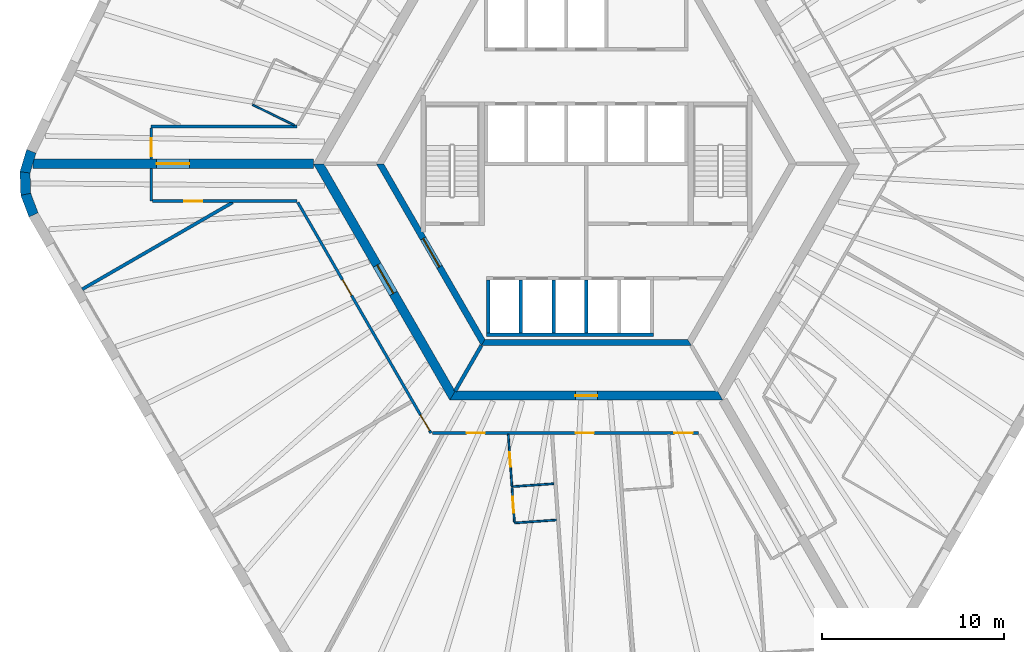
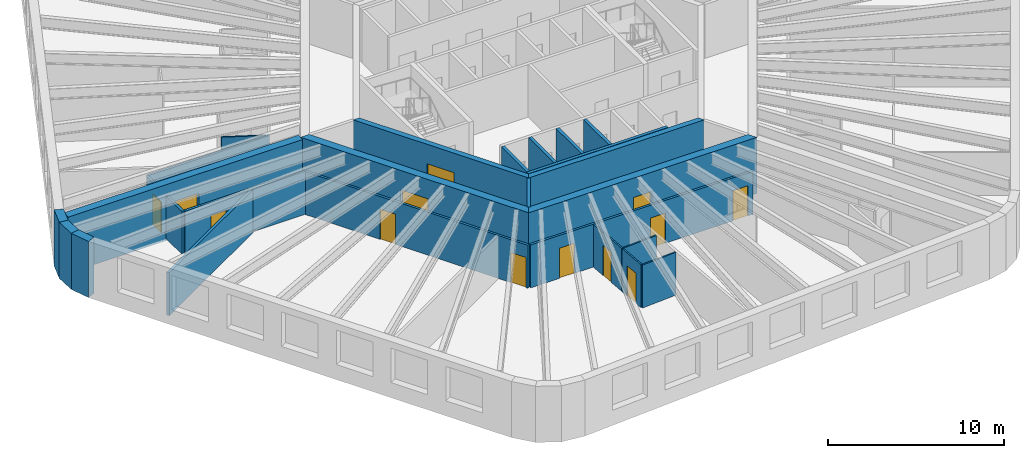
# One storey, part 3 of 9: 26 walls, 13 doors, 13 openings.
"""IFC4 building model written with IfcOpenShell, lengths in metres."""

import ifcopenshell
import ifcopenshell.guid

model = None  # the IFC model being written
_history = None  # IfcOwnerHistory: only IFC2X3 demands one
_inside = {}  # id of a spatial element -> (the spatial element, [elements in it])
_under = {}  # id of a project, library or spatial element -> (it, [spatial elements below it])
_declared = {}  # id of a project -> (the project, [libraries it declares])
_typed = {}  # id of a type object -> (the type object, [elements of that type])
_made_of = {}  # id of a material, layer set ... -> (it, [elements and type objects made of it])


def new_model(schema):
    """Start an empty IFC model of exactly this schema.

    Asked for "IFC4X3", IfcOpenShell would pick the latest addendum, in which some entities
    have other attributes; the version numbers below select the first issue.
    IFC2X3 requires an IfcOwnerHistory on every rooted entity: one is made here for all.
    """
    global model, _history
    if schema == "IFC4X3":
        model = ifcopenshell.file(schema_version=(4, 3, 0, 0))
    else:
        model = ifcopenshell.file(schema=schema)
    _inside.clear()
    _under.clear()
    _declared.clear()
    _typed.clear()
    _made_of.clear()
    _history = None
    if model.schema == "IFC2X3":
        org = make("IfcOrganization", Name="unknown")
        user = make(
            "IfcPersonAndOrganization",
            ThePerson=make("IfcPerson", FamilyName="unknown"),
            TheOrganization=org,
        )
        app = make(
            "IfcApplication",
            ApplicationDeveloper=org,
            Version="unknown",
            ApplicationFullName="unknown",
            ApplicationIdentifier="unknown",
        )
        _history = make(
            "IfcOwnerHistory",
            OwningUser=user,
            OwningApplication=app,
            ChangeAction="ADDED",
            CreationDate=0,
        )
    return model


def make(cls, **values):
    """One entity of the class cls with the attributes given. An attribute that is None is left unset."""
    return model.create_entity(
        cls, **{name: value for name, value in values.items() if value is not None}
    )


def rooted(cls, **values):
    """An entity with a GlobalId (a new one), such as an element, a storey or a relation."""
    return make(cls, GlobalId=ifcopenshell.guid.new(), OwnerHistory=_history, **values)


def si_unit(unit_type, name, prefix=None):
    """IfcSIUnit, for example si_unit("LENGTHUNIT", "METRE", prefix="MILLI")."""
    return make("IfcSIUnit", UnitType=unit_type, Prefix=prefix, Name=name)


def assignment(units):
    """IfcUnitAssignment: the units of a project."""
    return None if units is None else make("IfcUnitAssignment", Units=units)


def point(xyz):
    """IfcCartesianPoint."""
    return None if xyz is None else make("IfcCartesianPoint", Coordinates=xyz)


def direction(xyz):
    """IfcDirection."""
    return None if xyz is None else make("IfcDirection", DirectionRatios=xyz)


def frame(location, z_axis=None, x_axis=None):
    """IfcAxis2Placement3D, a coordinate frame: its origin and axes. An axis left out is left unset."""
    return make(
        "IfcAxis2Placement3D",
        Location=point(location),
        Axis=direction(z_axis),
        RefDirection=direction(x_axis),
    )


def frame_2d(location, x_axis=None):
    """IfcAxis2Placement2D, a coordinate frame in the plane: its origin and x axis."""
    return make(
        "IfcAxis2Placement2D", Location=point(location), RefDirection=direction(x_axis)
    )


def origin():
    """The frame at (0, 0, 0) with its axes left unset."""
    return frame((0.0, 0.0, 0.0))


def place(relative_to, where):
    """IfcLocalPlacement: puts the frame where relative to a parent placement (None: the world)."""
    return make(
        "IfcLocalPlacement", PlacementRelTo=relative_to, RelativePlacement=where
    )


def context(
    kind, dimensions, precision=None, world=None, true_north=None, identifier=None
):
    """IfcGeometricRepresentationContext, for example the 3D "Model" context."""
    return make(
        "IfcGeometricRepresentationContext",
        ContextIdentifier=identifier,
        ContextType=kind,
        CoordinateSpaceDimension=dimensions,
        Precision=precision,
        WorldCoordinateSystem=world,
        TrueNorth=true_north,
    )


def subcontext(parent, identifier, kind, view, scale=None):
    """IfcGeometricRepresentationSubContext, for example "Body" below "Model"."""
    return make(
        "IfcGeometricRepresentationSubContext",
        ContextIdentifier=identifier,
        ContextType=kind,
        ParentContext=parent,
        TargetScale=scale,
        TargetView=view,
    )


def project(units=None, contexts=None):
    """IfcProject with its units and contexts."""
    return rooted(
        "IfcProject",
        Name="project",
        RepresentationContexts=contexts,
        UnitsInContext=assignment(units),
    )


def spatial(cls, under=None, at=None, **own):
    """A site, building, storey or space (cls), placed at a placement, below another one or the project."""
    s = rooted(cls, ObjectPlacement=at, **own)
    if under is not None:
        _under.setdefault(under.id(), (under, []))[1].append(s)
    return s


def polyline(points):
    """IfcPolyline through the points."""
    return make("IfcPolyline", Points=[point(p) for p in points])


def profile(cls, at=None, kind="AREA", **sizes):
    """A parametric profile (cls). Its sizes go by their IFC names, for example OverallWidth=200.0."""
    return make(cls, ProfileType=kind, Position=at, **sizes)


def rectangle(**sizes):
    """IfcRectangleProfileDef."""
    return profile("IfcRectangleProfileDef", **sizes)


def outline(outer, holes=None, kind="AREA"):
    """IfcArbitraryClosedProfileDef: a profile drawn as a closed curve; with holes, ...WithVoids."""
    if holes is None:
        return make("IfcArbitraryClosedProfileDef", ProfileType=kind, OuterCurve=outer)
    return make(
        "IfcArbitraryProfileDefWithVoids",
        ProfileType=kind,
        OuterCurve=outer,
        InnerCurves=holes,
    )


def extrude(swept, where, along, depth):
    """IfcExtrudedAreaSolid: the profile swept, set in the frame where, extruded along a direction by depth."""
    return make(
        "IfcExtrudedAreaSolid",
        SweptArea=swept,
        Position=where,
        ExtrudedDirection=direction(along),
        Depth=depth,
    )


def shape(context_of_items, identifier, shape_type, items):
    """IfcShapeRepresentation: the items that make up one representation, for example the "Body"."""
    return make(
        "IfcShapeRepresentation",
        ContextOfItems=context_of_items,
        RepresentationIdentifier=identifier,
        RepresentationType=shape_type,
        Items=items,
    )


def material(Name=None, Category=None):
    """IfcMaterial."""
    return make("IfcMaterial", Name=Name, Category=Category)


def layer(
    of_material, thickness, ventilated=None, Name=None, Category=None, Priority=None
):
    """IfcMaterialLayer: one layer of a wall or slab, of a material (None: an air gap)."""
    return make(
        "IfcMaterialLayer",
        Material=of_material,
        LayerThickness=thickness,
        IsVentilated=ventilated,
        Name=Name,
        Category=Category,
        Priority=Priority,
    )


def layer_set(layers, Name=None):
    """IfcMaterialLayerSet."""
    return make("IfcMaterialLayerSet", MaterialLayers=layers, LayerSetName=Name)


def made_of(thing, what):
    """Note that an element or type object is made of a material, layer set ...; save() writes the relation."""
    if what is not None:
        _made_of.setdefault(what.id(), (what, []))[1].append(thing)
    return thing


def type_object(cls, material=None, **own):
    """A type object (cls), such as IfcWallType, which elements share."""
    return made_of(rooted(cls, **own), material)


def element(
    cls,
    number,
    at=None,
    inside=None,
    cuts=None,
    type_object=None,
    material=None,
    context=None,
    identifier="Body",
    shape_type=None,
    held_by="IfcProductDefinitionShape",
    body=None,
    shapes=None,
    **own,
):
    """One element of the class cls, such as IfcWall. Its Tag is "e" and its number.

    at: its placement. inside: the storey or other place that contains it. cuts: it is an
    opening in that element (IfcRelVoidsElement). A single representation is given by context,
    identifier, shape_type and body (its items); several are given by shapes. held_by: the class
    of the entity that holds the representations. save() writes the other relations.
    """
    e = rooted(cls, Tag="e%d" % number, ObjectPlacement=at, **own)
    if body is not None:
        shapes = [shape(context, identifier, shape_type, body)]
    if shapes is not None:
        e.Representation = make(held_by, Representations=shapes)
    if inside is not None:
        _inside.setdefault(inside.id(), (inside, []))[1].append(e)
    if cuts is not None:
        rooted(
            "IfcRelVoidsElement", RelatingBuildingElement=cuts, RelatedOpeningElement=e
        )
    if type_object is not None:
        _typed.setdefault(type_object.id(), (type_object, []))[1].append(e)
    return made_of(e, material)


def fill(opening, filler):
    """IfcRelFillsElement: the door or window that sits in an opening."""
    return rooted(
        "IfcRelFillsElement",
        RelatingOpeningElement=opening,
        RelatedBuildingElement=filler,
    )


def aggregate(whole, parts):
    """IfcRelAggregates: a whole, such as a stair, and the parts it consists of."""
    return rooted("IfcRelAggregates", RelatingObject=whole, RelatedObjects=parts)


def save(model, path):
    """Write the relations noted so far, then the file.

    IfcRelAggregates (storeys below a building ...), IfcRelContainedInSpatialStructure (elements
    in a storey), IfcRelDefinesByType, IfcRelAssociatesMaterial and IfcRelDeclares: one each for
    every whole, place, type object, material and project.
    """
    for whole, parts in _under.values():
        aggregate(whole, parts)
    for where, things in _inside.values():
        rooted(
            "IfcRelContainedInSpatialStructure",
            RelatedElements=things,
            RelatingStructure=where,
        )
    for kind, things in _typed.values():
        rooted("IfcRelDefinesByType", RelatedObjects=things, RelatingType=kind)
    for what, things in _made_of.values():
        rooted("IfcRelAssociatesMaterial", RelatedObjects=things, RelatingMaterial=what)
    for by, libraries in _declared.values():
        rooted("IfcRelDeclares", RelatingContext=by, RelatedDefinitions=libraries)
    model.write(path)


model = new_model("IFC4")

# Units and contexts
model_context = context("Model", 3, precision=1e-05, world=origin(), true_north=direction((0.0, 1.0)))
body_context = subcontext(model_context, "Body", "Model", "MODEL_VIEW")
ifc_project = project(units=[si_unit("LENGTHUNIT", "METRE"), si_unit("AREAUNIT", "SQUARE_METRE"), si_unit("VOLUMEUNIT", "CUBIC_METRE"), si_unit("PLANEANGLEUNIT", "RADIAN"), si_unit("MASSUNIT", "GRAM", prefix="KILO")], contexts=[model_context])

# Site, building, storey
site_placement = place(None, origin())
site = spatial("IfcSite", under=ifc_project, at=site_placement, CompositionType="ELEMENT")
building_placement = place(site_placement, origin())
building = spatial("IfcBuilding", under=site, at=building_placement, Name="Tarnside Tower", CompositionType="ELEMENT")
storey_placement = place(building_placement, frame((0.0, 0.0, 219.0)))
storey = spatial("IfcBuildingStorey", under=building, at=storey_placement, Name="L52", CompositionType="ELEMENT", Elevation=219.0)

# Wall
ifc_material_1 = material(Name="Gypsum board partition on steel studs", Category="steel")
ifc_layer_1 = layer(ifc_material_1, 0.10009765625)
ifc_layer_set_1 = layer_set([ifc_layer_1], Name="Bathroom wall 100")
wall_type_1 = type_object("IfcWallType", Name="Bathroom wall 100", PredefinedType="PARTITIONING", material=ifc_layer_set_1)
wall_1_placement = place(storey_placement, frame((-16.059814453125, 2.125, 0.0), z_axis=(0.0, 0.0, 1.0), x_axis=(-0.898792392919, 0.438374536704, 0.0)))
element("IfcWall", 1, at=wall_1_placement, inside=storey, type_object=wall_type_1, Name="Bathroom wall 17060", PredefinedType="PARTITIONING", context=body_context, shape_type="SweptSolid", body=[
    extrude(rectangle(XDim=2.54736328125, YDim=0.10009765625, at=frame_2d((1.273681640625, 0.0))), origin(), (0.0, 0.0, 1.0), 2.98779296875),
])

# Wall, opening, door
wall_2_placement = place(storey_placement, frame((-4.089599609375, -17.751953125, 0.0), z_axis=(0.0, 0.0, 1.0), x_axis=(-0.06975499513, 0.997564153654, 0.0)))
wall_2 = element("IfcWall", 2, at=wall_2_placement, inside=storey, type_object=wall_type_1, Name="Bathroom wall 17069", PredefinedType="PARTITIONING", context=body_context, shape_type="SweptSolid", body=[
    extrude(rectangle(XDim=2.884033203125, YDim=0.10009765625, at=frame_2d((1.44189453125, 0.0))), origin(), (0.0, 0.0, 1.0), 2.98779296875),
])
opening_1_placement = place(wall_2_placement, frame((1.10009765625, 0.0, 0.0)))
opening_1 = element("IfcOpeningElement", 3, at=opening_1_placement, cuts=wall_2, Name="Opening D-B1", PredefinedType="OPENING", context=body_context, shape_type="SweptSolid", body=[
    extrude(rectangle(XDim=0.800048828125, YDim=2.10009765625, at=frame_2d((0.39990234375, 1.050048828125))), frame((0.0, 0.06005859375, 0.0), z_axis=(0.0, -1.0, 0.0), x_axis=(1.0, 0.0, 0.0)), (0.0, 0.0, 1.0), 0.1201171875),
])
ifc_material_2 = material(Name="Timber door leaf", Category="wood")
door_type_1 = type_object("IfcDoorType", Name="Bathroom door 800", OperationType="NOTDEFINED", PredefinedType="DOOR", material=ifc_material_2)
door_1_placement = place(opening_1_placement, origin())
door_1 = element("IfcDoor", 4, at=door_1_placement, inside=storey, type_object=door_type_1, Name="Bathroom door 17017", OperationType="SINGLE_SWING_LEFT", OverallHeight=2.10009765625, OverallWidth=0.800048828125, PredefinedType="DOOR", context=body_context, shape_type="SweptSolid", body=[
    extrude(rectangle(XDim=0.800048828125, YDim=2.10009765625, at=frame_2d((0.39990234375, 1.050048828125))), frame((0.0, 0.02490234375, 0.0), z_axis=(0.0, -1.0, 0.0), x_axis=(1.0, 0.0, 0.0)), (0.0, 0.0, 1.0), 0.050048828125),
])
fill(opening_1, door_1)

# Wall
wall_3_placement = place(storey_placement, frame((-4.039794921875, -17.74853515625, 0.0), z_axis=(0.0, 0.0, 1.0), x_axis=(0.997562351999, 0.069780755754, 0.0)))
element("IfcWall", 5, at=wall_3_placement, inside=storey, type_object=wall_type_1, Name="Bathroom wall 17073", PredefinedType="PARTITIONING", context=body_context, shape_type="SweptSolid", body=[
    extrude(rectangle(XDim=2.26025390625, YDim=0.10009765625, at=frame_2d((1.130126953125, 0.0))), origin(), (0.0, 0.0, 1.0), 2.98779296875),
])

# Wall, opening, door
ifc_material_3 = material(Name="Concrete C50/60", Category="concrete")
ifc_layer_2 = layer(ifc_material_3, 0.35009765625)
ifc_layer_set_2 = layer_set([ifc_layer_2], Name="Core block wall 350 C50/60")
wall_type_2 = type_object("IfcWallType", Name="Core block wall 350 C50/60", PredefinedType="SHEAR", material=ifc_layer_set_2)
wall_4_placement = place(storey_placement, frame((-11.344970703125, 0.0, -0.14990234375), z_axis=(0.0, 0.0, 1.0), x_axis=(0.499995046907, -0.866028263435, 0.0)))
wall_4 = element("IfcWall", 6, at=wall_4_placement, inside=storey, type_object=wall_type_2, Name="L52 core block wall face 3", PredefinedType="SHEAR", context=body_context, shape_type="SweptSolid", body=[
    extrude(outline(polyline([(-0.10107421875, -0.175048828125), (11.44580078125, -0.175048828125), (11.24365234375, 0.175048828125), (0.10107421875, 0.175048828125), (-0.10107421875, -0.175048828125)])), origin(), (0.0, 0.0, 1.0), 3.89990234375),
])
opening_2_placement = place(wall_4_placement, frame((4.74365234375, 0.0, 0.14990234375)))
opening_2 = element("IfcOpeningElement", 7, at=opening_2_placement, cuts=wall_4, Name="Opening CD-FFL", PredefinedType="OPENING", context=body_context, shape_type="SweptSolid", body=[
    extrude(rectangle(XDim=1.800048828125, YDim=2.39990234375, at=frame_2d((0.89990234375, 1.199951171875))), frame((0.0, 0.18505859375, 0.0), z_axis=(0.0, -1.0, 0.0), x_axis=(1.0, 0.0, 0.0)), (0.0, 0.0, 1.0), 0.3701171875),
])
ifc_material_4 = material(Name="Steel fire door", Category="steel")
door_type_2 = type_object("IfcDoorType", Name="Firefighting lobby double door FD60S 1800x2400", OperationType="NOTDEFINED", PredefinedType="DOOR", material=ifc_material_4)
door_2_placement = place(opening_2_placement, origin())
door_2 = element("IfcDoor", 8, at=door_2_placement, inside=storey, type_object=door_type_2, Name="L52 lobby block door P3", OperationType="DOUBLE_DOOR_SINGLE_SWING", OverallHeight=2.39990234375, OverallWidth=1.800048828125, PredefinedType="DOOR", context=body_context, shape_type="SweptSolid", body=[
    extrude(rectangle(XDim=1.800048828125, YDim=2.39990234375, at=frame_2d((0.89990234375, 1.199951171875))), frame((0.0, 0.02490234375, 0.0), z_axis=(0.0, -1.0, 0.0), x_axis=(1.0, 0.0, 0.0)), (0.0, 0.0, 1.0), 0.050048828125),
])
fill(opening_2, door_2)

# Wall
wall_5_placement = place(storey_placement, frame((-5.672607421875, -9.824951171875, -0.14990234375), z_axis=(0.0, 0.0, 1.0), x_axis=(1.0, 0.0, 0.0)))
element("IfcWall", 9, at=wall_5_placement, inside=storey, type_object=wall_type_2, Name="L52 core block wall face 4", PredefinedType="SHEAR", context=body_context, shape_type="SweptSolid", body=[
    extrude(outline(polyline([(-0.10107421875, -0.175048828125), (11.4462890625, -0.175048828125), (11.244140625, 0.175048828125), (0.10107421875, 0.175048828125), (-0.10107421875, -0.175048828125)])), origin(), (0.0, 0.0, 1.0), 3.89990234375),
])

# Wall, opening, door
ifc_material_5 = material(Name="Concrete C70/85", Category="concrete")
ifc_layer_3 = layer(ifc_material_5, 0.5)
ifc_layer_set_3 = layer_set([ifc_layer_3], Name="Core wall Z2 500 C70/85")
wall_type_3 = type_object("IfcWallType", Name="Core wall Z2 500 C70/85", PredefinedType="SHEAR", material=ifc_layer_set_3)
wall_6_placement = place(storey_placement, frame((-14.722412109375, 0.0, -0.14990234375), z_axis=(0.0, 0.0, 1.0), x_axis=(0.50000571537, -0.866022103989, 0.0)))
wall_6 = element("IfcWall", 10, at=wall_6_placement, inside=storey, type_object=wall_type_3, Name="L52 core wall face 3", PredefinedType="SHEAR", context=body_context, shape_type="SweptSolid", body=[
    extrude(outline(polyline([(-0.144287109375, -0.25), (14.86669921875, -0.25), (14.578125, 0.25), (0.144287109375, 0.25), (-0.144287109375, -0.25)])), origin(), (0.0, 0.0, 1.0), 3.89990234375),
])
opening_3_placement = place(wall_6_placement, frame((6.432373046875, 0.0, 0.14990234375)))
opening_3 = element("IfcOpeningElement", 11, at=opening_3_placement, cuts=wall_6, Name="Opening CD-FFL", PredefinedType="OPENING", context=body_context, shape_type="SweptSolid", body=[
    extrude(rectangle(XDim=1.800048828125, YDim=2.39990234375, at=frame_2d((0.89990234375, 1.199951171875))), frame((0.0, 0.260009765625, 0.0), z_axis=(0.0, -1.0, 0.0), x_axis=(1.0, 0.0, 0.0)), (0.0, 0.0, 1.0), 0.52001953125),
])
door_3_placement = place(opening_3_placement, origin())
door_3 = element("IfcDoor", 12, at=door_3_placement, inside=storey, type_object=door_type_2, Name="L52 core door P3", OperationType="DOUBLE_DOOR_SINGLE_SWING", OverallHeight=2.39990234375, OverallWidth=1.800048828125, PredefinedType="DOOR", context=body_context, shape_type="SweptSolid", body=[
    extrude(rectangle(XDim=1.800048828125, YDim=2.39990234375, at=frame_2d((0.89990234375, 1.199951171875))), frame((0.0, 0.02490234375, 0.0), z_axis=(0.0, -1.0, 0.0), x_axis=(1.0, 0.0, 0.0)), (0.0, 0.0, 1.0), 0.050048828125),
])
fill(opening_3, door_3)

wall_7_placement = place(storey_placement, frame((-7.361083984375, -12.75, -0.14990234375), z_axis=(0.0, 0.0, 1.0), x_axis=(1.0, 0.0, 0.0)))
wall_7 = element("IfcWall", 13, at=wall_7_placement, inside=storey, type_object=wall_type_3, Name="L52 core wall face 4", PredefinedType="SHEAR", context=body_context, shape_type="SweptSolid", body=[
    extrude(outline(polyline([(-0.144287109375, -0.25), (14.866455078125, -0.25), (14.577880859375, 0.25), (0.144287109375, 0.25), (-0.144287109375, -0.25)])), origin(), (0.0, 0.0, 1.0), 3.89990234375),
])
opening_4_placement = place(wall_7_placement, frame((6.76123046875, 0.0, 0.14990234375)))
opening_4 = element("IfcOpeningElement", 14, at=opening_4_placement, cuts=wall_7, Name="Opening CD-RSR", PredefinedType="OPENING", context=body_context, shape_type="SweptSolid", body=[
    extrude(rectangle(XDim=1.199951171875, YDim=2.39990234375, at=frame_2d((0.60009765625, 1.199951171875))), frame((0.0, 0.260009765625, 0.0), z_axis=(0.0, -1.0, 0.0), x_axis=(1.0, 0.0, 0.0)), (0.0, 0.0, 1.0), 0.52001953125),
])
door_type_3 = type_object("IfcDoorType", Name="Riser door FD60 1200x2400", OperationType="NOTDEFINED", PredefinedType="DOOR", material=ifc_material_4)
door_4_placement = place(opening_4_placement, origin())
door_4 = element("IfcDoor", 15, at=door_4_placement, inside=storey, type_object=door_type_3, Name="L52 core door S6", OperationType="SINGLE_SWING_LEFT", OverallHeight=2.39990234375, OverallWidth=1.199951171875, PredefinedType="DOOR", context=body_context, shape_type="SweptSolid", body=[
    extrude(rectangle(XDim=1.199951171875, YDim=2.39990234375, at=frame_2d((0.60009765625, 1.199951171875))), frame((0.0, 0.02490234375, 0.0), z_axis=(0.0, -1.0, 0.0), x_axis=(1.0, 0.0, 0.0)), (0.0, 0.0, 1.0), 0.050048828125),
])
fill(opening_4, door_4)

wall_8_placement = place(storey_placement, frame((-15.010986328125, 0.0, -0.14990234375), z_axis=(0.0, 0.0, 1.0), x_axis=(-1.0, 0.0, 0.0)))
wall_8 = element("IfcWall", 16, at=wall_8_placement, inside=storey, type_object=wall_type_3, Name="L52 spine wall 2", PredefinedType="SHEAR", context=body_context, shape_type="SweptSolid", body=[
    extrude(rectangle(XDim=15.423828125, YDim=0.5, at=frame_2d((7.7119140625, 0.0))), origin(), (0.0, 0.0, 1.0), 3.89990234375),
])
opening_5_placement = place(wall_8_placement, frame((6.811767578125, 0.0, 0.14990234375)))
opening_5 = element("IfcOpeningElement", 17, at=opening_5_placement, cuts=wall_8, Name="Opening CD-SPN", PredefinedType="OPENING", context=body_context, shape_type="SweptSolid", body=[
    extrude(rectangle(XDim=1.800048828125, YDim=2.39990234375, at=frame_2d((0.89990234375, 1.199951171875))), frame((0.0, 0.260009765625, 0.0), z_axis=(0.0, -1.0, 0.0), x_axis=(1.0, 0.0, 0.0)), (0.0, 0.0, 1.0), 0.52001953125),
])
door_type_4 = type_object("IfcDoorType", Name="Spine passage double door FD60 1800x2400", OperationType="NOTDEFINED", PredefinedType="DOOR", material=ifc_material_4)
door_5_placement = place(opening_5_placement, origin())
door_5 = element("IfcDoor", 18, at=door_5_placement, inside=storey, type_object=door_type_4, Name="L52 spine passage door 2", OperationType="DOUBLE_DOOR_SINGLE_SWING", OverallHeight=2.39990234375, OverallWidth=1.800048828125, PredefinedType="DOOR", context=body_context, shape_type="SweptSolid", body=[
    extrude(rectangle(XDim=1.800048828125, YDim=2.39990234375, at=frame_2d((0.89990234375, 1.199951171875))), frame((0.0, 0.02490234375, 0.0), z_axis=(0.0, -1.0, 0.0), x_axis=(1.0, 0.0, 0.0)), (0.0, 0.0, 1.0), 0.050048828125),
])
fill(opening_5, door_5)

# Wall
ifc_layer_4 = layer(ifc_material_1, 0.14990234375)
ifc_layer_set_4 = layer_set([ifc_layer_4], Name="Corridor wall 150 EI 60")
wall_type_4 = type_object("IfcWallType", Name="Corridor wall 150 EI 60", PredefinedType="PARTITIONING", material=ifc_layer_set_4)
wall_9_placement = place(storey_placement, frame((-15.906005859375, 2.050048828125, 0.0), z_axis=(0.0, 0.0, 1.0), x_axis=(-1.0, 0.0, 0.0)))
element("IfcWall", 19, at=wall_9_placement, inside=storey, type_object=wall_type_4, Name="Corridor wall 17012", PredefinedType="PARTITIONING", context=body_context, shape_type="SweptSolid", body=[
    extrude(rectangle(XDim=8.016845703125, YDim=0.14990234375, at=frame_2d((4.00830078125, 0.0))), origin(), (0.0, 0.0, 1.0), 2.98779296875),
])

# Wall, opening, door
wall_10_placement = place(storey_placement, frame((-23.9228515625, 1.97509765625, 0.0), z_axis=(0.0, 0.0, 1.0), x_axis=(0.0, -1.0, 0.0)))
wall_10 = element("IfcWall", 20, at=wall_10_placement, inside=storey, type_object=wall_type_4, Name="Corridor wall 17016", PredefinedType="PARTITIONING", context=body_context, shape_type="SweptSolid", body=[
    extrude(rectangle(XDim=1.72509765625, YDim=0.14990234375, at=frame_2d((0.862548828125, 0.0))), origin(), (0.0, 0.0, 1.0), 2.98779296875),
])
opening_6_placement = place(wall_10_placement, frame((0.574951171875, 0.0, 0.0)))
opening_6 = element("IfcOpeningElement", 21, at=opening_6_placement, cuts=wall_10, Name="Opening D-E1", PredefinedType="OPENING", context=body_context, shape_type="SweptSolid", body=[
    extrude(rectangle(XDim=1.0, YDim=2.10009765625, at=frame_2d((0.5, 1.050048828125))), frame((0.0, 0.0849609375, 0.0), z_axis=(0.0, -1.0, 0.0), x_axis=(1.0, 0.0, 0.0)), (0.0, 0.0, 1.0), 0.169921875),
])
door_type_5 = type_object("IfcDoorType", Name="Unit entrance door 1000 FD30S", OperationType="NOTDEFINED", PredefinedType="DOOR", material=ifc_material_2)
door_6_placement = place(opening_6_placement, origin())
door_6 = element("IfcDoor", 22, at=door_6_placement, inside=storey, type_object=door_type_5, Name="Unit door 17012", OperationType="SINGLE_SWING_LEFT", OverallHeight=2.10009765625, OverallWidth=1.0, PredefinedType="DOOR", context=body_context, shape_type="SweptSolid", body=[
    extrude(rectangle(XDim=1.0, YDim=2.10009765625, at=frame_2d((0.5, 1.050048828125))), frame((0.0, 0.02490234375, 0.0), z_axis=(0.0, -1.0, 0.0), x_axis=(1.0, 0.0, 0.0)), (0.0, 0.0, 1.0), 0.050048828125),
])
fill(opening_6, door_6)

# Wall
wall_11_placement = place(storey_placement, frame((-23.9228515625, -0.25, 0.0), z_axis=(0.0, 0.0, 1.0), x_axis=(0.0, -1.0, 0.0)))
element("IfcWall", 23, at=wall_11_placement, inside=storey, type_object=wall_type_4, Name="Corridor wall 17017", PredefinedType="PARTITIONING", context=body_context, shape_type="SweptSolid", body=[
    extrude(rectangle(XDim=1.800048828125, YDim=0.14990234375, at=frame_2d((0.89990234375, 0.0))), origin(), (0.0, 0.0, 1.0), 2.98779296875),
])

# Wall, opening, door
wall_12_placement = place(storey_placement, frame((-23.847900390625, -2.050048828125, 0.0), z_axis=(0.0, 0.0, 1.0), x_axis=(1.0, 0.0, 0.0)))
wall_12 = element("IfcWall", 24, at=wall_12_placement, inside=storey, type_object=wall_type_4, Name="Corridor wall 17018", PredefinedType="PARTITIONING", context=body_context, shape_type="SweptSolid", body=[
    extrude(rectangle(XDim=7.94189453125, YDim=0.14990234375, at=frame_2d((3.970947265625, 0.0))), origin(), (0.0, 0.0, 1.0), 2.98779296875),
])
opening_7_placement = place(wall_12_placement, frame((1.72900390625, 0.0, 0.0)))
opening_7 = element("IfcOpeningElement", 25, at=opening_7_placement, cuts=wall_12, Name="Opening D-E1", PredefinedType="OPENING", context=body_context, shape_type="SweptSolid", body=[
    extrude(rectangle(XDim=1.0, YDim=2.10009765625, at=frame_2d((0.5, 1.050048828125))), frame((0.0, 0.0849609375, 0.0), z_axis=(0.0, -1.0, 0.0), x_axis=(1.0, 0.0, 0.0)), (0.0, 0.0, 1.0), 0.169921875),
])
door_7_placement = place(opening_7_placement, origin())
door_7 = element("IfcDoor", 26, at=door_7_placement, inside=storey, type_object=door_type_5, Name="Unit door 17013", OperationType="SINGLE_SWING_RIGHT", OverallHeight=2.10009765625, OverallWidth=1.0, PredefinedType="DOOR", context=body_context, shape_type="SweptSolid", body=[
    extrude(rectangle(XDim=1.0, YDim=2.10009765625, at=frame_2d((0.5, 1.050048828125))), frame((0.0, 0.02490234375, 0.0), z_axis=(0.0, -1.0, 0.0), x_axis=(1.0, 0.0, 0.0)), (0.0, 0.0, 1.0), 0.050048828125),
])
fill(opening_7, door_7)

# Wall, openings, doors
wall_13_placement = place(storey_placement, frame((-15.86279296875, -2.125, 0.0), z_axis=(0.0, 0.0, 1.0), x_axis=(0.500008833422, -0.866020303746, 0.0)))
wall_13 = element("IfcWall", 27, at=wall_13_placement, inside=storey, type_object=wall_type_4, Name="Corridor wall 17020", PredefinedType="PARTITIONING", context=body_context, shape_type="SweptSolid", body=[
    extrude(rectangle(XDim=14.635986328125, YDim=0.14990234375, at=frame_2d((7.31787109375, 0.0))), origin(), (0.0, 0.0, 1.0), 2.98779296875),
])
opening_8_placement = place(wall_13_placement, frame((4.908935546875, 0.0, 0.0)))
opening_8 = element("IfcOpeningElement", 28, at=opening_8_placement, cuts=wall_13, Name="Opening D-E1", PredefinedType="OPENING", context=body_context, shape_type="SweptSolid", body=[
    extrude(rectangle(XDim=1.0, YDim=2.10009765625, at=frame_2d((0.5, 1.050048828125))), frame((0.0, 0.0849609375, 0.0), z_axis=(0.0, -1.0, 0.0), x_axis=(1.0, 0.0, 0.0)), (0.0, 0.0, 1.0), 0.169921875),
])
opening_9_placement = place(wall_13_placement, frame((13.48583984375, 0.0, 0.0)))
opening_9 = element("IfcOpeningElement", 29, at=opening_9_placement, cuts=wall_13, Name="Opening D-E1", PredefinedType="OPENING", context=body_context, shape_type="SweptSolid", body=[
    extrude(rectangle(XDim=1.0, YDim=2.10009765625, at=frame_2d((0.5, 1.050048828125))), frame((0.0, 0.0849609375, 0.0), z_axis=(0.0, -1.0, 0.0), x_axis=(1.0, 0.0, 0.0)), (0.0, 0.0, 1.0), 0.169921875),
])
door_8_placement = place(opening_8_placement, origin())
door_8 = element("IfcDoor", 30, at=door_8_placement, inside=storey, type_object=door_type_5, Name="Unit door 17014", OperationType="SINGLE_SWING_RIGHT", OverallHeight=2.10009765625, OverallWidth=1.0, PredefinedType="DOOR", context=body_context, shape_type="SweptSolid", body=[
    extrude(rectangle(XDim=1.0, YDim=2.10009765625, at=frame_2d((0.5, 1.050048828125))), frame((0.0, 0.02490234375, 0.0), z_axis=(0.0, -1.0, 0.0), x_axis=(1.0, 0.0, 0.0)), (0.0, 0.0, 1.0), 0.050048828125),
])
fill(opening_8, door_8)
door_9_placement = place(opening_9_placement, origin())
door_9 = element("IfcDoor", 31, at=door_9_placement, inside=storey, type_object=door_type_5, Name="Unit door 17015", OperationType="SINGLE_SWING_LEFT", OverallHeight=2.10009765625, OverallWidth=1.0, PredefinedType="DOOR", context=body_context, shape_type="SweptSolid", body=[
    extrude(rectangle(XDim=1.0, YDim=2.10009765625, at=frame_2d((0.5, 1.050048828125))), frame((0.0, 0.02490234375, 0.0), z_axis=(0.0, -1.0, 0.0), x_axis=(1.0, 0.0, 0.0)), (0.0, 0.0, 1.0), 0.050048828125),
])
fill(opening_9, door_9)

wall_14_placement = place(storey_placement, frame((-8.458251953125, -14.800048828125, 0.0), z_axis=(0.0, 0.0, 1.0), x_axis=(1.0, 0.0, 0.0)))
wall_14 = element("IfcWall", 32, at=wall_14_placement, inside=storey, type_object=wall_type_4, Name="Corridor wall 17022", PredefinedType="PARTITIONING", context=body_context, shape_type="SweptSolid", body=[
    extrude(rectangle(XDim=14.635986328125, YDim=0.14990234375, at=frame_2d((7.31787109375, 0.0))), origin(), (0.0, 0.0, 1.0), 2.98779296875),
])
opening_10_placement = place(wall_14_placement, frame((1.88134765625, 0.0, 0.0)))
opening_10 = element("IfcOpeningElement", 33, at=opening_10_placement, cuts=wall_14, Name="Opening D-E1", PredefinedType="OPENING", context=body_context, shape_type="SweptSolid", body=[
    extrude(rectangle(XDim=1.0, YDim=2.10009765625, at=frame_2d((0.5, 1.050048828125))), frame((0.0, 0.0849609375, 0.0), z_axis=(0.0, -1.0, 0.0), x_axis=(1.0, 0.0, 0.0)), (0.0, 0.0, 1.0), 0.169921875),
])
opening_11_placement = place(wall_14_placement, frame((7.872314453125, 0.0, 0.0)))
opening_11 = element("IfcOpeningElement", 34, at=opening_11_placement, cuts=wall_14, Name="Opening D-E1", PredefinedType="OPENING", context=body_context, shape_type="SweptSolid", body=[
    extrude(rectangle(XDim=1.0, YDim=2.10009765625, at=frame_2d((0.5, 1.050048828125))), frame((0.0, 0.0849609375, 0.0), z_axis=(0.0, -1.0, 0.0), x_axis=(1.0, 0.0, 0.0)), (0.0, 0.0, 1.0), 0.169921875),
])
opening_12_placement = place(wall_14_placement, frame((13.302978515625, 0.0, 0.0)))
opening_12 = element("IfcOpeningElement", 35, at=opening_12_placement, cuts=wall_14, Name="Opening D-E1", PredefinedType="OPENING", context=body_context, shape_type="SweptSolid", body=[
    extrude(rectangle(XDim=1.0, YDim=2.10009765625, at=frame_2d((0.5, 1.050048828125))), frame((0.0, 0.0849609375, 0.0), z_axis=(0.0, -1.0, 0.0), x_axis=(1.0, 0.0, 0.0)), (0.0, 0.0, 1.0), 0.169921875),
])
door_10_placement = place(opening_10_placement, origin())
door_10 = element("IfcDoor", 36, at=door_10_placement, inside=storey, type_object=door_type_5, Name="Unit door 17016", OperationType="SINGLE_SWING_LEFT", OverallHeight=2.10009765625, OverallWidth=1.0, PredefinedType="DOOR", context=body_context, shape_type="SweptSolid", body=[
    extrude(rectangle(XDim=1.0, YDim=2.10009765625, at=frame_2d((0.5, 1.050048828125))), frame((0.0, 0.02490234375, 0.0), z_axis=(0.0, -1.0, 0.0), x_axis=(1.0, 0.0, 0.0)), (0.0, 0.0, 1.0), 0.050048828125),
])
fill(opening_10, door_10)
door_11_placement = place(opening_11_placement, origin())
door_11 = element("IfcDoor", 37, at=door_11_placement, inside=storey, type_object=door_type_5, Name="Unit door 17019", OperationType="SINGLE_SWING_RIGHT", OverallHeight=2.10009765625, OverallWidth=1.0, PredefinedType="DOOR", context=body_context, shape_type="SweptSolid", body=[
    extrude(rectangle(XDim=1.0, YDim=2.10009765625, at=frame_2d((0.5, 1.050048828125))), frame((0.0, 0.02490234375, 0.0), z_axis=(0.0, -1.0, 0.0), x_axis=(1.0, 0.0, 0.0)), (0.0, 0.0, 1.0), 0.050048828125),
])
fill(opening_11, door_11)
door_12_placement = place(opening_12_placement, origin())
door_12 = element("IfcDoor", 38, at=door_12_placement, inside=storey, type_object=door_type_5, Name="Unit door 17020", OperationType="SINGLE_SWING_RIGHT", OverallHeight=2.10009765625, OverallWidth=1.0, PredefinedType="DOOR", context=body_context, shape_type="SweptSolid", body=[
    extrude(rectangle(XDim=1.0, YDim=2.10009765625, at=frame_2d((0.5, 1.050048828125))), frame((0.0, 0.02490234375, 0.0), z_axis=(0.0, -1.0, 0.0), x_axis=(1.0, 0.0, 0.0)), (0.0, 0.0, 1.0), 0.050048828125),
])
fill(opening_12, door_12)

# Walls
ifc_layer_5 = layer(ifc_material_1, 0.179931640625)
ifc_layer_set_5 = layer_set([ifc_layer_5], Name="Demising wall 180 EI 60")
wall_type_5 = type_object("IfcWallType", Name="Demising wall 180 EI 60", PredefinedType="PARTITIONING", material=ifc_layer_set_5)
wall_15_placement = place(storey_placement, frame((-27.71337890625, -6.89892578125, 0.0), z_axis=(0.0, 0.0, 1.0), x_axis=(0.866022070066, 0.500005774125, 0.0)))
element("IfcWall", 39, at=wall_15_placement, inside=storey, type_object=wall_type_5, Name="Demising wall 17066", PredefinedType="PARTITIONING", context=body_context, shape_type="SweptSolid", body=[
    extrude(rectangle(XDim=9.5478515625, YDim=0.179931640625, at=frame_2d((4.77392578125, 0.0))), origin(), (0.0, 0.0, 1.0), 2.98779296875),
])
ifc_material_6 = material(Name="Concrete C40/50", Category="concrete")
ifc_layer_6 = layer(ifc_material_6, 0.199951171875)
ifc_layer_set_6 = layer_set([ifc_layer_6], Name="Lift shaft wall 200 C40/50")
wall_type_6 = type_object("IfcWallType", Name="Lift shaft wall 200 C40/50", PredefinedType="SHEAR", material=ifc_layer_set_6)
wall_16_placement = place(storey_placement, frame((-5.5, -9.39990234375, -0.25), z_axis=(0.0, 0.0, 1.0), x_axis=(1.0, 0.0, 0.0)))
element("IfcWall", 40, at=wall_16_placement, inside=storey, type_object=wall_type_6, Name="L52 lift shaft back wall R4", PredefinedType="SHEAR", context=body_context, shape_type="SweptSolid", body=[
    extrude(rectangle(XDim=9.199951171875, YDim=0.199951171875, at=frame_2d((4.60009765625, 0.0))), origin(), (0.0, 0.0, 1.0), 3.89990234375),
])
for number, where, z_axis, x_axis, name in (
    (41, (-5.39990234375, -9.300048828125, -0.25), (0.0, 0.0, 1.0), (0.0, 1.0, 0.0), "L52 lift shaft partition R41"),
    (42, (-3.60009765625, -9.300048828125, -0.25), (0.0, 0.0, 1.0), (0.0, 1.0, 0.0), "L52 lift shaft partition R42"),
    (43, (-1.800048828125, -9.300048828125, -0.25), (0.0, 0.0, 1.0), (0.0, 1.0, 0.0), "L52 lift shaft partition R43"),
    (44, (0.0, -9.300048828125, -0.25), (0.0, 0.0, 1.0), (0.0, 1.0, 0.0), "L52 lift shaft partition R44"),
):
    element("IfcWall", number, at=place(storey_placement, frame(where, z_axis=z_axis, x_axis=x_axis)), inside=storey, type_object=wall_type_6, Name=name, PredefinedType="SHEAR", context=body_context, shape_type="SweptSolid", body=[
        extrude(rectangle(XDim=2.900146484375, YDim=0.199951171875, at=frame_2d((1.4501953125, 0.0))), origin(), (0.0, 0.0, 1.0), 3.89990234375),
    ])
wall_17_placement = place(storey_placement, frame((-5.7734375, -10.0, -0.14990234375), z_axis=(0.0, 0.0, 1.0), x_axis=(-0.499995765644, -0.866027848477, 0.0)))
element("IfcWall", 45, at=wall_17_placement, inside=storey, type_object=wall_type_6, Name="L52 core partition AR240", PredefinedType="SHEAR", context=body_context, shape_type="SweptSolid", body=[
    extrude(rectangle(XDim=2.88671875, YDim=0.199951171875, at=frame_2d((1.443359375, 0.0))), origin(), (0.0, 0.0, 1.0), 3.89990234375),
])
ifc_layer_7 = layer(ifc_material_1, 0.10009765625)
ifc_layer_set_7 = layer_set([ifc_layer_7], Name="Partition 100")
wall_type_7 = type_object("IfcWallType", Name="Partition 100", PredefinedType="PARTITIONING", material=ifc_layer_set_7)
wall_18_placement = place(storey_placement, frame((-1.645751953125, -19.586181640625, 0.0), z_axis=(0.0, 0.0, 1.0), x_axis=(-0.997564338377, -0.069752353356, 0.0)))
element("IfcWall", 46, at=wall_18_placement, inside=storey, type_object=wall_type_7, Name="Partition wall 17070", PredefinedType="PARTITIONING", context=body_context, shape_type="SweptSolid", body=[
    extrude(rectangle(XDim=2.31005859375, YDim=0.10009765625, at=frame_2d((1.155029296875, 0.0))), origin(), (0.0, 0.0, 1.0), 2.98779296875),
])

# Wall, opening, door
wall_19_placement = place(storey_placement, frame((-3.95361328125, -19.697265625, 0.0), z_axis=(0.0, 0.0, 1.0), x_axis=(-0.069776698601, 0.997562635794, 0.0)))
wall_19 = element("IfcWall", 47, at=wall_19_placement, inside=storey, type_object=wall_type_7, Name="Partition wall 17071", PredefinedType="PARTITIONING", context=body_context, shape_type="SweptSolid", body=[
    extrude(rectangle(XDim=1.89990234375, YDim=0.10009765625, at=frame_2d((0.949951171875, 0.0))), origin(), (0.0, 0.0, 1.0), 2.98779296875),
])
opening_13_placement = place(wall_19_placement, frame((0.5, 0.0, 0.0)))
opening_13 = element("IfcOpeningElement", 48, at=opening_13_placement, cuts=wall_19, Name="Opening D-I1", PredefinedType="OPENING", context=body_context, shape_type="SweptSolid", body=[
    extrude(rectangle(XDim=0.89990234375, YDim=2.10009765625, at=frame_2d((0.449951171875, 1.050048828125))), frame((0.0, 0.06005859375, 0.0), z_axis=(0.0, -1.0, 0.0), x_axis=(1.0, 0.0, 0.0)), (0.0, 0.0, 1.0), 0.1201171875),
])
door_type_6 = type_object("IfcDoorType", Name="Internal door 900", OperationType="NOTDEFINED", PredefinedType="DOOR", material=ifc_material_2)
door_13_placement = place(opening_13_placement, origin())
door_13 = element("IfcDoor", 49, at=door_13_placement, inside=storey, type_object=door_type_6, Name="Internal door 17018", OperationType="SINGLE_SWING_RIGHT", OverallHeight=2.10009765625, OverallWidth=0.89990234375, PredefinedType="DOOR", context=body_context, shape_type="SweptSolid", body=[
    extrude(rectangle(XDim=0.89990234375, YDim=2.10009765625, at=frame_2d((0.449951171875, 1.050048828125))), frame((0.0, 0.02490234375, 0.0), z_axis=(0.0, -1.0, 0.0), x_axis=(1.0, 0.0, 0.0)), (0.0, 0.0, 1.0), 0.050048828125),
])
fill(opening_13, door_13)

# Walls
ifc_material_7 = material(Name="Facing brick", Category="masonry")
ifc_layer_8 = layer(ifc_material_7, 0.10205078125)
ifc_material_8 = material(Name="Concrete C60/75 precast", Category="concrete")
ifc_layer_9 = layer(ifc_material_8, 0.347900390625)
ifc_material_9 = material(Name="Mineral wool insulation")
ifc_layer_10 = layer(ifc_material_9, 0.10009765625)
ifc_layer_set_8 = layer_set([ifc_layer_8, ifc_layer_9, ifc_layer_10], Name="Tube wall 550 brick faced")
wall_type_8 = type_object("IfcWallType", Name="Tube wall 550 brick faced", PredefinedType="SOLIDWALL", material=ifc_layer_set_8)
wall_20_placement = place(storey_placement, frame((-30.51318359375, 0.684326171875, -0.14990234375), z_axis=(0.0, 0.0, 1.0), x_axis=(-0.286736058109, -0.958009620505, 0.0)))
element("IfcWall", 50, at=wall_20_placement, inside=storey, type_object=wall_type_8, Name="Tube wall L52 F2 chord 05", PredefinedType="SOLIDWALL", context=body_context, shape_type="SweptSolid", body=[
    extrude(outline(polyline([(-0.0224609375, -0.27490234375), (1.25341796875, -0.27490234375), (1.1630859375, 0.27490234375), (0.0224609375, 0.27490234375), (-0.0224609375, -0.27490234375)])), origin(), (0.0, 0.0, 1.0), 3.89990234375),
])
wall_21_placement = place(storey_placement, frame((-30.859619140625, -0.47314453125, -0.14990234375), z_axis=(0.0, 0.0, 1.0), x_axis=(0.03495638276, -0.999388838893, 0.0)))
element("IfcWall", 51, at=wall_21_placement, inside=storey, type_object=wall_type_8, Name="Tube wall L52 F2 chord 06", PredefinedType="SOLIDWALL", context=body_context, shape_type="SweptSolid", body=[
    extrude(outline(polyline([(-0.045166015625, -0.27490234375), (1.25341796875, -0.27490234375), (1.1630859375, 0.27490234375), (0.045166015625, 0.27490234375), (-0.045166015625, -0.27490234375)])), origin(), (0.0, 0.0, 1.0), 3.89990234375),
])
wall_22_placement = place(storey_placement, frame((-30.8173828125, -1.6806640625, -0.14990234375), z_axis=(0.0, 0.0, 1.0), x_axis=(0.352850303963, -0.935679786569, 0.0)))
element("IfcWall", 52, at=wall_22_placement, inside=storey, type_object=wall_type_8, Name="Tube wall L52 F2 chord 07", PredefinedType="SOLIDWALL", context=body_context, shape_type="SweptSolid", body=[
    extrude(outline(polyline([(-0.045166015625, -0.27490234375), (1.23046875, -0.27490234375), (1.185546875, 0.27490234375), (0.045166015625, 0.27490234375), (-0.045166015625, -0.27490234375)])), origin(), (0.0, 0.0, 1.0), 3.89990234375),
])

save(model, "model.ifc")
